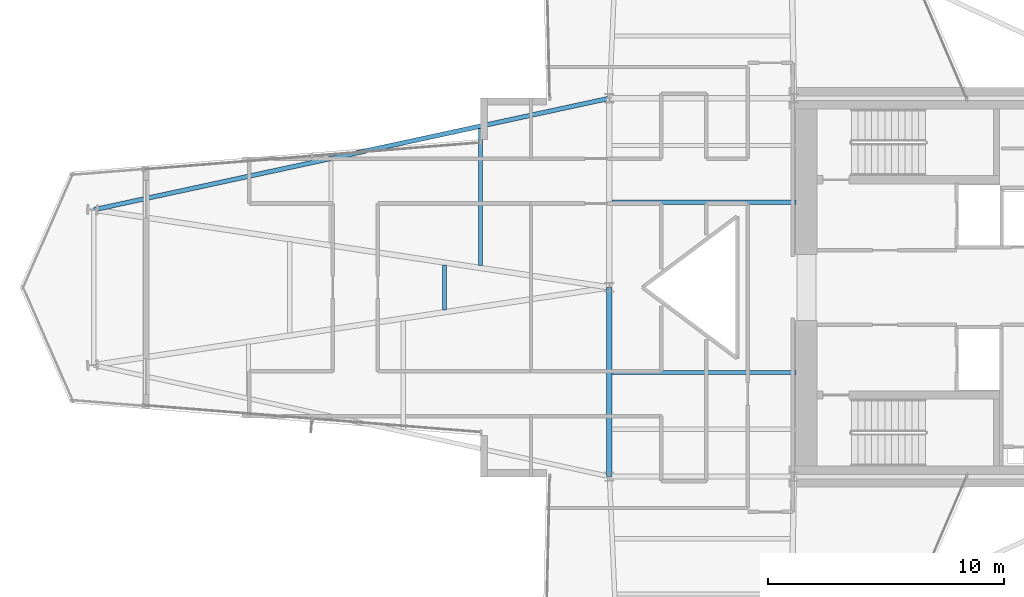
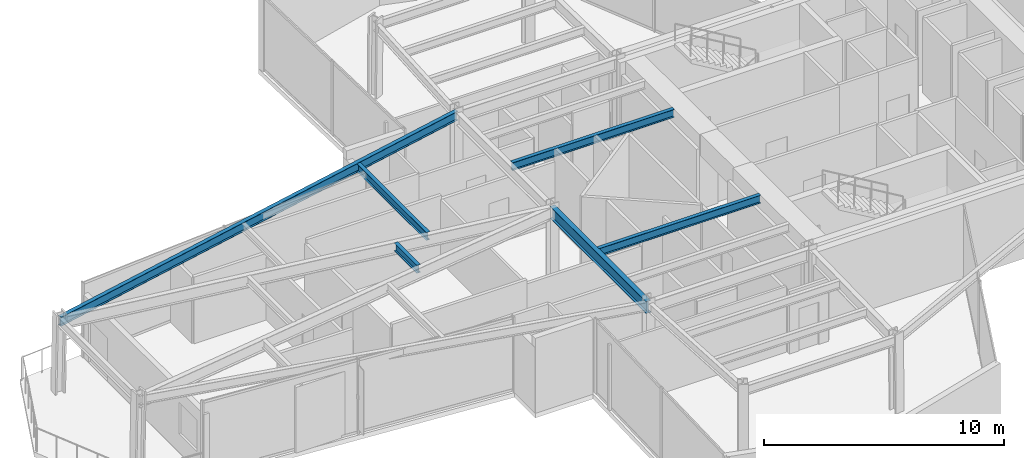
# One storey, part 8 of 27: 6 beams.
"""IFC4 building model written with IfcOpenShell, lengths in metres."""

import ifcopenshell
import ifcopenshell.guid

model = None  # the IFC model being written
_history = None  # IfcOwnerHistory: only IFC2X3 demands one
_inside = {}  # id of a spatial element -> (the spatial element, [elements in it])
_under = {}  # id of a project, library or spatial element -> (it, [spatial elements below it])
_declared = {}  # id of a project -> (the project, [libraries it declares])
_typed = {}  # id of a type object -> (the type object, [elements of that type])
_made_of = {}  # id of a material, layer set ... -> (it, [elements and type objects made of it])


def new_model(schema):
    """Start an empty IFC model of exactly this schema.

    Asked for "IFC4X3", IfcOpenShell would pick the latest addendum, in which some entities
    have other attributes; the version numbers below select the first issue.
    IFC2X3 requires an IfcOwnerHistory on every rooted entity: one is made here for all.
    """
    global model, _history
    if schema == "IFC4X3":
        model = ifcopenshell.file(schema_version=(4, 3, 0, 0))
    else:
        model = ifcopenshell.file(schema=schema)
    _inside.clear()
    _under.clear()
    _declared.clear()
    _typed.clear()
    _made_of.clear()
    _history = None
    if model.schema == "IFC2X3":
        org = make("IfcOrganization", Name="unknown")
        user = make(
            "IfcPersonAndOrganization",
            ThePerson=make("IfcPerson", FamilyName="unknown"),
            TheOrganization=org,
        )
        app = make(
            "IfcApplication",
            ApplicationDeveloper=org,
            Version="unknown",
            ApplicationFullName="unknown",
            ApplicationIdentifier="unknown",
        )
        _history = make(
            "IfcOwnerHistory",
            OwningUser=user,
            OwningApplication=app,
            ChangeAction="ADDED",
            CreationDate=0,
        )
    return model


def make(cls, **values):
    """One entity of the class cls with the attributes given. An attribute that is None is left unset."""
    return model.create_entity(
        cls, **{name: value for name, value in values.items() if value is not None}
    )


def rooted(cls, **values):
    """An entity with a GlobalId (a new one), such as an element, a storey or a relation."""
    return make(cls, GlobalId=ifcopenshell.guid.new(), OwnerHistory=_history, **values)


def si_unit(unit_type, name, prefix=None):
    """IfcSIUnit, for example si_unit("LENGTHUNIT", "METRE", prefix="MILLI")."""
    return make("IfcSIUnit", UnitType=unit_type, Prefix=prefix, Name=name)


def assignment(units):
    """IfcUnitAssignment: the units of a project."""
    return None if units is None else make("IfcUnitAssignment", Units=units)


def point(xyz):
    """IfcCartesianPoint."""
    return None if xyz is None else make("IfcCartesianPoint", Coordinates=xyz)


def direction(xyz):
    """IfcDirection."""
    return None if xyz is None else make("IfcDirection", DirectionRatios=xyz)


def frame(location, z_axis=None, x_axis=None):
    """IfcAxis2Placement3D, a coordinate frame: its origin and axes. An axis left out is left unset."""
    return make(
        "IfcAxis2Placement3D",
        Location=point(location),
        Axis=direction(z_axis),
        RefDirection=direction(x_axis),
    )


def frame_2d(location, x_axis=None):
    """IfcAxis2Placement2D, a coordinate frame in the plane: its origin and x axis."""
    return make(
        "IfcAxis2Placement2D", Location=point(location), RefDirection=direction(x_axis)
    )


def origin():
    """The frame at (0, 0, 0) with its axes left unset."""
    return frame((0.0, 0.0, 0.0))


def origin_2d():
    """The frame at (0, 0) in the plane with its x axis left unset."""
    return frame_2d((0.0, 0.0))


def place(relative_to, where):
    """IfcLocalPlacement: puts the frame where relative to a parent placement (None: the world)."""
    return make(
        "IfcLocalPlacement", PlacementRelTo=relative_to, RelativePlacement=where
    )


def context(
    kind, dimensions, precision=None, world=None, true_north=None, identifier=None
):
    """IfcGeometricRepresentationContext, for example the 3D "Model" context."""
    return make(
        "IfcGeometricRepresentationContext",
        ContextIdentifier=identifier,
        ContextType=kind,
        CoordinateSpaceDimension=dimensions,
        Precision=precision,
        WorldCoordinateSystem=world,
        TrueNorth=true_north,
    )


def subcontext(parent, identifier, kind, view, scale=None):
    """IfcGeometricRepresentationSubContext, for example "Body" below "Model"."""
    return make(
        "IfcGeometricRepresentationSubContext",
        ContextIdentifier=identifier,
        ContextType=kind,
        ParentContext=parent,
        TargetScale=scale,
        TargetView=view,
    )


def project(units=None, contexts=None):
    """IfcProject with its units and contexts."""
    return rooted(
        "IfcProject",
        Name="project",
        RepresentationContexts=contexts,
        UnitsInContext=assignment(units),
    )


def spatial(cls, under=None, at=None, **own):
    """A site, building, storey or space (cls), placed at a placement, below another one or the project."""
    s = rooted(cls, ObjectPlacement=at, **own)
    if under is not None:
        _under.setdefault(under.id(), (under, []))[1].append(s)
    return s


def profile(cls, at=None, kind="AREA", **sizes):
    """A parametric profile (cls). Its sizes go by their IFC names, for example OverallWidth=200.0."""
    return make(cls, ProfileType=kind, Position=at, **sizes)


def i_section(**sizes):
    """IfcIShapeProfileDef."""
    return profile("IfcIShapeProfileDef", **sizes)


def extrude(swept, where, along, depth):
    """IfcExtrudedAreaSolid: the profile swept, set in the frame where, extruded along a direction by depth."""
    return make(
        "IfcExtrudedAreaSolid",
        SweptArea=swept,
        Position=where,
        ExtrudedDirection=direction(along),
        Depth=depth,
    )


def shape(context_of_items, identifier, shape_type, items):
    """IfcShapeRepresentation: the items that make up one representation, for example the "Body"."""
    return make(
        "IfcShapeRepresentation",
        ContextOfItems=context_of_items,
        RepresentationIdentifier=identifier,
        RepresentationType=shape_type,
        Items=items,
    )


def material(Name=None, Category=None):
    """IfcMaterial."""
    return make("IfcMaterial", Name=Name, Category=Category)


def material_profile(
    of_material, cross_section, Name=None, Category=None, Priority=None
):
    """IfcMaterialProfile: a cross section and its material."""
    return make(
        "IfcMaterialProfile",
        Name=Name,
        Material=of_material,
        Profile=cross_section,
        Priority=Priority,
        Category=Category,
    )


def profile_set(profiles, Name=None, composite=None):
    """IfcMaterialProfileSet."""
    return make(
        "IfcMaterialProfileSet",
        Name=Name,
        MaterialProfiles=profiles,
        CompositeProfile=composite,
    )


def made_of(thing, what):
    """Note that an element or type object is made of a material, layer set ...; save() writes the relation."""
    if what is not None:
        _made_of.setdefault(what.id(), (what, []))[1].append(thing)
    return thing


def type_object(cls, material=None, **own):
    """A type object (cls), such as IfcWallType, which elements share."""
    return made_of(rooted(cls, **own), material)


def element(
    cls,
    number,
    at=None,
    inside=None,
    cuts=None,
    type_object=None,
    material=None,
    context=None,
    identifier="Body",
    shape_type=None,
    held_by="IfcProductDefinitionShape",
    body=None,
    shapes=None,
    **own,
):
    """One element of the class cls, such as IfcWall. Its Tag is "e" and its number.

    at: its placement. inside: the storey or other place that contains it. cuts: it is an
    opening in that element (IfcRelVoidsElement). A single representation is given by context,
    identifier, shape_type and body (its items); several are given by shapes. held_by: the class
    of the entity that holds the representations. save() writes the other relations.
    """
    e = rooted(cls, Tag="e%d" % number, ObjectPlacement=at, **own)
    if body is not None:
        shapes = [shape(context, identifier, shape_type, body)]
    if shapes is not None:
        e.Representation = make(held_by, Representations=shapes)
    if inside is not None:
        _inside.setdefault(inside.id(), (inside, []))[1].append(e)
    if cuts is not None:
        rooted(
            "IfcRelVoidsElement", RelatingBuildingElement=cuts, RelatedOpeningElement=e
        )
    if type_object is not None:
        _typed.setdefault(type_object.id(), (type_object, []))[1].append(e)
    return made_of(e, material)


def aggregate(whole, parts):
    """IfcRelAggregates: a whole, such as a stair, and the parts it consists of."""
    return rooted("IfcRelAggregates", RelatingObject=whole, RelatedObjects=parts)


def save(model, path):
    """Write the relations noted so far, then the file.

    IfcRelAggregates (storeys below a building ...), IfcRelContainedInSpatialStructure (elements
    in a storey), IfcRelDefinesByType, IfcRelAssociatesMaterial and IfcRelDeclares: one each for
    every whole, place, type object, material and project.
    """
    for whole, parts in _under.values():
        aggregate(whole, parts)
    for where, things in _inside.values():
        rooted(
            "IfcRelContainedInSpatialStructure",
            RelatedElements=things,
            RelatingStructure=where,
        )
    for kind, things in _typed.values():
        rooted("IfcRelDefinesByType", RelatedObjects=things, RelatingType=kind)
    for what, things in _made_of.values():
        rooted("IfcRelAssociatesMaterial", RelatedObjects=things, RelatingMaterial=what)
    for by, libraries in _declared.values():
        rooted("IfcRelDeclares", RelatingContext=by, RelatedDefinitions=libraries)
    model.write(path)


model = new_model("IFC4")

# Units and contexts
model_context = context("Model", 3, precision=1e-05, world=origin(), true_north=direction((0.0, 1.0)))
body_context = subcontext(model_context, "Body", "Model", "MODEL_VIEW")
ifc_project = project(units=[si_unit("LENGTHUNIT", "METRE"), si_unit("AREAUNIT", "SQUARE_METRE"), si_unit("VOLUMEUNIT", "CUBIC_METRE"), si_unit("PLANEANGLEUNIT", "RADIAN"), si_unit("MASSUNIT", "GRAM", prefix="KILO")], contexts=[model_context])

# Site, building, storey
site_placement = place(None, origin())
site = spatial("IfcSite", under=ifc_project, at=site_placement, CompositionType="ELEMENT")
building_placement = place(site_placement, origin())
building = spatial("IfcBuilding", under=site, at=building_placement, Name="Veymaron Broadcast Tower", CompositionType="ELEMENT")
storey_placement = place(building_placement, frame((0.0, 0.0, 86.39990234375)))
storey = spatial("IfcBuildingStorey", under=building, at=storey_placement, Name="L19", CompositionType="ELEMENT", Elevation=86.39990234375)

# Beams
ifc_material = material(Name="Structural steel ASTM A992 Gr 50", Category="steel")
ifc_material_profile_1 = material_profile(ifc_material, i_section(OverallWidth=0.22998046875, OverallDepth=0.616943359375, WebThickness=0.01318359375, FlangeThickness=0.022216796875, at=origin_2d()), Name="W610X140")
ifc_profile_set_1 = profile_set([ifc_material_profile_1], Name="Structural steel ASTM A992 Gr 50")
beam_type_1 = type_object("IfcBeamType", Name="BM-FG1", PredefinedType="BEAM", material=ifc_profile_set_1)
beam_1_placement = place(storey_placement, frame((31.199951171875, 16.0, 3.501708984375), z_axis=(0.0, 1.0, 0.0), x_axis=(-1.0, 0.0, 0.0)))
element("IfcBeam", 1, at=beam_1_placement, inside=storey, type_object=beam_type_1, Name="L19 primary structural floor girder", PredefinedType="BEAM", context=body_context, shape_type="SweptSolid", body=[
    extrude(i_section(OverallWidth=0.22998046875, OverallDepth=0.616943359375, WebThickness=0.01318359375, FlangeThickness=0.022216796875, at=origin_2d()), origin(), (0.0, 0.0, 1.0), 8.0),
])
ifc_material_profile_2 = material_profile(ifc_material, i_section(OverallWidth=0.177978515625, OverallDepth=0.406982421875, WebThickness=0.0078125, FlangeThickness=0.0126953125, at=origin_2d()), Name="W410X60")
ifc_profile_set_2 = profile_set([ifc_material_profile_2], Name="Structural steel ASTM A992 Gr 50")
beam_type_2 = type_object("IfcBeamType", Name="BM-JS1", PredefinedType="JOIST", material=ifc_profile_set_2)
beam_2_placement = place(storey_placement, frame((24.2197265625, 23.048828125, 3.606689453125), z_axis=(0.0, 1.0, 0.0), x_axis=(-1.0, 0.0, 0.0)))
element("IfcBeam", 2, at=beam_2_placement, inside=storey, type_object=beam_type_2, Name="L19 Arm-A secondary joist 2M", PredefinedType="JOIST", context=body_context, shape_type="SweptSolid", body=[
    extrude(i_section(OverallWidth=0.177978515625, OverallDepth=0.406982421875, WebThickness=0.0078125, FlangeThickness=0.0126953125, at=origin_2d()), origin(), (0.0, 0.0, 1.0), 1.90234375),
])
beam_3_placement = place(storey_placement, frame((25.74658203125, 24.92138671875, 3.606689453125), z_axis=(0.0, 1.0, 0.0), x_axis=(-1.0, 0.0, 0.0)))
element("IfcBeam", 3, at=beam_3_placement, inside=storey, type_object=beam_type_2, Name="L19 Arm-A secondary joist 2N", PredefinedType="JOIST", context=body_context, shape_type="SweptSolid", body=[
    extrude(i_section(OverallWidth=0.177978515625, OverallDepth=0.406982421875, WebThickness=0.0078125, FlangeThickness=0.0126953125, at=origin_2d()), origin(), (0.0, 0.0, 1.0), 5.7998046875),
])
for number, where, z_axis, x_axis, name in (
    (4, (31.300048828125, 20.39990234375, 3.606689453125), (1.0, 0.0, 0.0), (0.0, 1.0, 0.0), "L19 Hub secondary joist 2"),
    (5, (31.300048828125, 27.60009765625, 3.606689453125), (1.0, 0.0, 0.0), (0.0, 1.0, 0.0), "L19 Hub secondary joist 3"),
):
    element("IfcBeam", number, at=place(storey_placement, frame(where, z_axis=z_axis, x_axis=x_axis)), inside=storey, type_object=beam_type_2, Name=name, PredefinedType="JOIST", context=body_context, shape_type="SweptSolid", body=[
        extrude(i_section(OverallWidth=0.177978515625, OverallDepth=0.406982421875, WebThickness=0.0078125, FlangeThickness=0.0126953125, at=origin_2d()), origin(), (0.0, 0.0, 1.0), 7.800048828125),
    ])
ifc_material_profile_3 = material_profile(ifc_material, i_section(OverallWidth=0.19091796875, OverallDepth=0.4599609375, WebThickness=0.010009765625, FlangeThickness=0.01611328125, at=origin_2d()), Name="W460X82")
ifc_profile_set_3 = profile_set([ifc_material_profile_3], Name="Structural steel ASTM A992 Gr 50")
beam_type_3 = type_object("IfcBeamType", Name="BM-SP1", PredefinedType="SPANDREL", material=ifc_profile_set_3)
beam_4_placement = place(storey_placement, frame((9.386962890625, 27.284912109375, 3.580078125), z_axis=(0.977425584746, 0.211279971327, 0.0), x_axis=(-0.211279971327, 0.977425584746, 0.0)))
element("IfcBeam", 6, at=beam_4_placement, inside=storey, type_object=beam_type_3, Name="L19 primary structural floor girder", PredefinedType="SPANDREL", context=body_context, shape_type="SweptSolid", body=[
    extrude(i_section(OverallWidth=0.19091796875, OverallDepth=0.4599609375, WebThickness=0.010009765625, FlangeThickness=0.01611328125, at=origin_2d()), origin(), (0.0, 0.0, 1.0), 22.31689453125),
])

save(model, "model.ifc")
